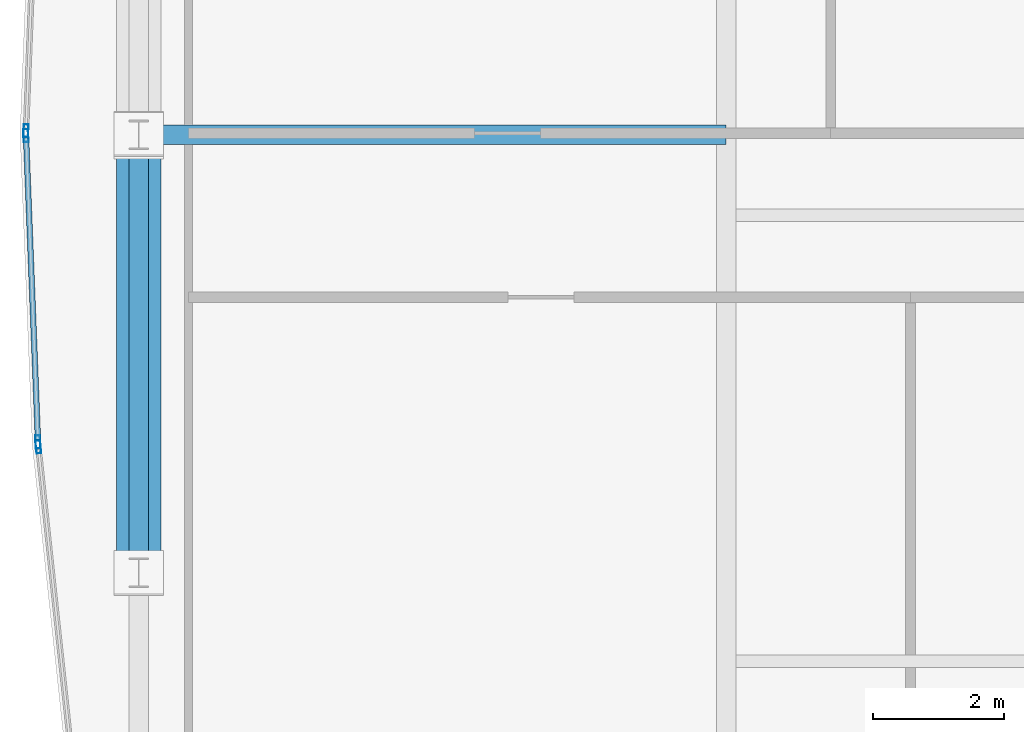
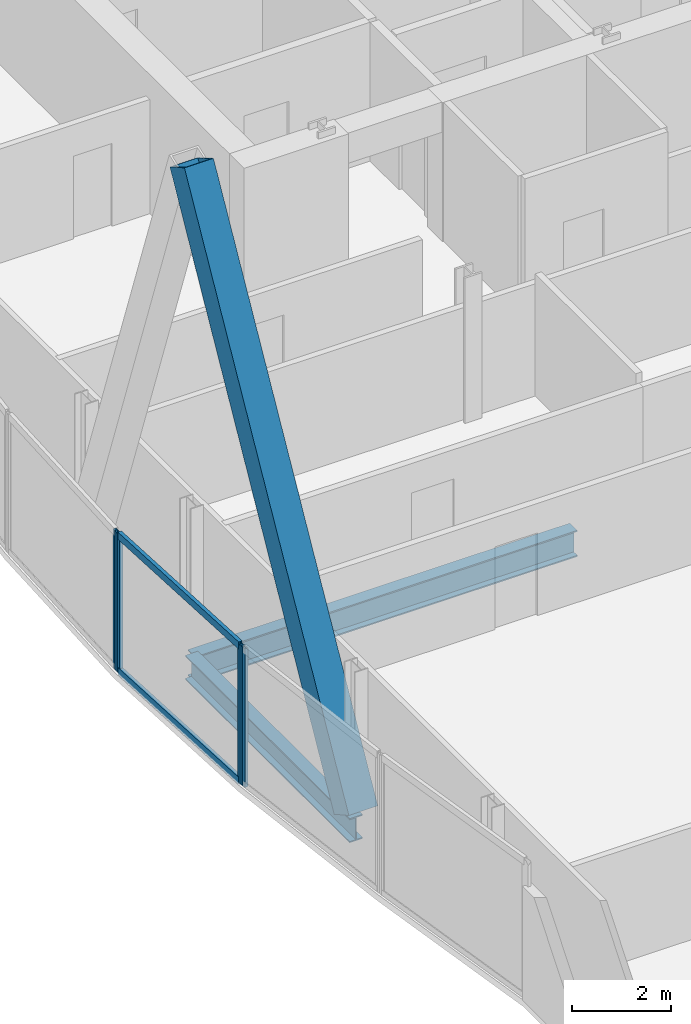
# One storey, part 10 of 31: 7 members, 2 beams, 3 elements without a shape of their own.
"""IFC4 building model written with IfcOpenShell, lengths in metres."""

import ifcopenshell
import ifcopenshell.guid

model = None  # the IFC model being written
_history = None  # IfcOwnerHistory: only IFC2X3 demands one
_inside = {}  # id of a spatial element -> (the spatial element, [elements in it])
_under = {}  # id of a project, library or spatial element -> (it, [spatial elements below it])
_declared = {}  # id of a project -> (the project, [libraries it declares])
_typed = {}  # id of a type object -> (the type object, [elements of that type])
_made_of = {}  # id of a material, layer set ... -> (it, [elements and type objects made of it])


def new_model(schema):
    """Start an empty IFC model of exactly this schema.

    Asked for "IFC4X3", IfcOpenShell would pick the latest addendum, in which some entities
    have other attributes; the version numbers below select the first issue.
    IFC2X3 requires an IfcOwnerHistory on every rooted entity: one is made here for all.
    """
    global model, _history
    if schema == "IFC4X3":
        model = ifcopenshell.file(schema_version=(4, 3, 0, 0))
    else:
        model = ifcopenshell.file(schema=schema)
    _inside.clear()
    _under.clear()
    _declared.clear()
    _typed.clear()
    _made_of.clear()
    _history = None
    if model.schema == "IFC2X3":
        org = make("IfcOrganization", Name="unknown")
        user = make(
            "IfcPersonAndOrganization",
            ThePerson=make("IfcPerson", FamilyName="unknown"),
            TheOrganization=org,
        )
        app = make(
            "IfcApplication",
            ApplicationDeveloper=org,
            Version="unknown",
            ApplicationFullName="unknown",
            ApplicationIdentifier="unknown",
        )
        _history = make(
            "IfcOwnerHistory",
            OwningUser=user,
            OwningApplication=app,
            ChangeAction="ADDED",
            CreationDate=0,
        )
    return model


def make(cls, **values):
    """One entity of the class cls with the attributes given. An attribute that is None is left unset."""
    return model.create_entity(
        cls, **{name: value for name, value in values.items() if value is not None}
    )


def rooted(cls, **values):
    """An entity with a GlobalId (a new one), such as an element, a storey or a relation."""
    return make(cls, GlobalId=ifcopenshell.guid.new(), OwnerHistory=_history, **values)


def si_unit(unit_type, name, prefix=None):
    """IfcSIUnit, for example si_unit("LENGTHUNIT", "METRE", prefix="MILLI")."""
    return make("IfcSIUnit", UnitType=unit_type, Prefix=prefix, Name=name)


def assignment(units):
    """IfcUnitAssignment: the units of a project."""
    return None if units is None else make("IfcUnitAssignment", Units=units)


def point(xyz):
    """IfcCartesianPoint."""
    return None if xyz is None else make("IfcCartesianPoint", Coordinates=xyz)


def direction(xyz):
    """IfcDirection."""
    return None if xyz is None else make("IfcDirection", DirectionRatios=xyz)


def frame(location, z_axis=None, x_axis=None):
    """IfcAxis2Placement3D, a coordinate frame: its origin and axes. An axis left out is left unset."""
    return make(
        "IfcAxis2Placement3D",
        Location=point(location),
        Axis=direction(z_axis),
        RefDirection=direction(x_axis),
    )


def frame_2d(location, x_axis=None):
    """IfcAxis2Placement2D, a coordinate frame in the plane: its origin and x axis."""
    return make(
        "IfcAxis2Placement2D", Location=point(location), RefDirection=direction(x_axis)
    )


def origin():
    """The frame at (0, 0, 0) with its axes left unset."""
    return frame((0.0, 0.0, 0.0))


def origin_2d():
    """The frame at (0, 0) in the plane with its x axis left unset."""
    return frame_2d((0.0, 0.0))


def place(relative_to, where):
    """IfcLocalPlacement: puts the frame where relative to a parent placement (None: the world)."""
    return make(
        "IfcLocalPlacement", PlacementRelTo=relative_to, RelativePlacement=where
    )


def context(
    kind, dimensions, precision=None, world=None, true_north=None, identifier=None
):
    """IfcGeometricRepresentationContext, for example the 3D "Model" context."""
    return make(
        "IfcGeometricRepresentationContext",
        ContextIdentifier=identifier,
        ContextType=kind,
        CoordinateSpaceDimension=dimensions,
        Precision=precision,
        WorldCoordinateSystem=world,
        TrueNorth=true_north,
    )


def subcontext(parent, identifier, kind, view, scale=None):
    """IfcGeometricRepresentationSubContext, for example "Body" below "Model"."""
    return make(
        "IfcGeometricRepresentationSubContext",
        ContextIdentifier=identifier,
        ContextType=kind,
        ParentContext=parent,
        TargetScale=scale,
        TargetView=view,
    )


def project(units=None, contexts=None):
    """IfcProject with its units and contexts."""
    return rooted(
        "IfcProject",
        Name="project",
        RepresentationContexts=contexts,
        UnitsInContext=assignment(units),
    )


def spatial(cls, under=None, at=None, **own):
    """A site, building, storey or space (cls), placed at a placement, below another one or the project."""
    s = rooted(cls, ObjectPlacement=at, **own)
    if under is not None:
        _under.setdefault(under.id(), (under, []))[1].append(s)
    return s


def profile(cls, at=None, kind="AREA", **sizes):
    """A parametric profile (cls). Its sizes go by their IFC names, for example OverallWidth=200.0."""
    return make(cls, ProfileType=kind, Position=at, **sizes)


def hollow_rectangle(**sizes):
    """IfcRectangleHollowProfileDef."""
    return profile("IfcRectangleHollowProfileDef", **sizes)


def i_section(**sizes):
    """IfcIShapeProfileDef."""
    return profile("IfcIShapeProfileDef", **sizes)


def extrude(swept, where, along, depth):
    """IfcExtrudedAreaSolid: the profile swept, set in the frame where, extruded along a direction by depth."""
    return make(
        "IfcExtrudedAreaSolid",
        SweptArea=swept,
        Position=where,
        ExtrudedDirection=direction(along),
        Depth=depth,
    )


def shape(context_of_items, identifier, shape_type, items):
    """IfcShapeRepresentation: the items that make up one representation, for example the "Body"."""
    return make(
        "IfcShapeRepresentation",
        ContextOfItems=context_of_items,
        RepresentationIdentifier=identifier,
        RepresentationType=shape_type,
        Items=items,
    )


def material(Name=None, Category=None):
    """IfcMaterial."""
    return make("IfcMaterial", Name=Name, Category=Category)


def material_profile(
    of_material, cross_section, Name=None, Category=None, Priority=None
):
    """IfcMaterialProfile: a cross section and its material."""
    return make(
        "IfcMaterialProfile",
        Name=Name,
        Material=of_material,
        Profile=cross_section,
        Priority=Priority,
        Category=Category,
    )


def profile_set(profiles, Name=None, composite=None):
    """IfcMaterialProfileSet."""
    return make(
        "IfcMaterialProfileSet",
        Name=Name,
        MaterialProfiles=profiles,
        CompositeProfile=composite,
    )


def made_of(thing, what):
    """Note that an element or type object is made of a material, layer set ...; save() writes the relation."""
    if what is not None:
        _made_of.setdefault(what.id(), (what, []))[1].append(thing)
    return thing


def type_object(cls, material=None, **own):
    """A type object (cls), such as IfcWallType, which elements share."""
    return made_of(rooted(cls, **own), material)


def element(
    cls,
    number,
    at=None,
    inside=None,
    cuts=None,
    type_object=None,
    material=None,
    context=None,
    identifier="Body",
    shape_type=None,
    held_by="IfcProductDefinitionShape",
    body=None,
    shapes=None,
    **own,
):
    """One element of the class cls, such as IfcWall. Its Tag is "e" and its number.

    at: its placement. inside: the storey or other place that contains it. cuts: it is an
    opening in that element (IfcRelVoidsElement). A single representation is given by context,
    identifier, shape_type and body (its items); several are given by shapes. held_by: the class
    of the entity that holds the representations. save() writes the other relations.
    """
    e = rooted(cls, Tag="e%d" % number, ObjectPlacement=at, **own)
    if body is not None:
        shapes = [shape(context, identifier, shape_type, body)]
    if shapes is not None:
        e.Representation = make(held_by, Representations=shapes)
    if inside is not None:
        _inside.setdefault(inside.id(), (inside, []))[1].append(e)
    if cuts is not None:
        rooted(
            "IfcRelVoidsElement", RelatingBuildingElement=cuts, RelatedOpeningElement=e
        )
    if type_object is not None:
        _typed.setdefault(type_object.id(), (type_object, []))[1].append(e)
    return made_of(e, material)


def aggregate(whole, parts):
    """IfcRelAggregates: a whole, such as a stair, and the parts it consists of."""
    return rooted("IfcRelAggregates", RelatingObject=whole, RelatedObjects=parts)


def save(model, path):
    """Write the relations noted so far, then the file.

    IfcRelAggregates (storeys below a building ...), IfcRelContainedInSpatialStructure (elements
    in a storey), IfcRelDefinesByType, IfcRelAssociatesMaterial and IfcRelDeclares: one each for
    every whole, place, type object, material and project.
    """
    for whole, parts in _under.values():
        aggregate(whole, parts)
    for where, things in _inside.values():
        rooted(
            "IfcRelContainedInSpatialStructure",
            RelatedElements=things,
            RelatingStructure=where,
        )
    for kind, things in _typed.values():
        rooted("IfcRelDefinesByType", RelatedObjects=things, RelatingType=kind)
    for what, things in _made_of.values():
        rooted("IfcRelAssociatesMaterial", RelatedObjects=things, RelatingMaterial=what)
    for by, libraries in _declared.values():
        rooted("IfcRelDeclares", RelatingContext=by, RelatedDefinitions=libraries)
    model.write(path)


model = new_model("IFC4")

# Units and contexts
model_context = context("Model", 3, precision=1e-05, world=origin(), true_north=direction((0.0, 1.0)))
body_context = subcontext(model_context, "Body", "Model", "MODEL_VIEW")
ifc_project = project(units=[si_unit("LENGTHUNIT", "METRE"), si_unit("AREAUNIT", "SQUARE_METRE"), si_unit("VOLUMEUNIT", "CUBIC_METRE"), si_unit("PLANEANGLEUNIT", "RADIAN"), si_unit("MASSUNIT", "GRAM", prefix="KILO")], contexts=[model_context])

# Site, building, storey
site_placement = place(None, origin())
site = spatial("IfcSite", under=ifc_project, at=site_placement, CompositionType="ELEMENT")
building_placement = place(site_placement, origin())
building = spatial("IfcBuilding", under=site, at=building_placement, Name="Khoronbel Lancet Exchange", CompositionType="ELEMENT")
storey_placement = place(building_placement, frame((0.0, 0.0, 249.800048828125)))
storey = spatial("IfcBuildingStorey", under=building, at=storey_placement, Name="L64", CompositionType="ELEMENT", Elevation=249.800048828125)

# Beams
ifc_material_1 = material(Name="Steel S355", Category="steel")
ifc_material_profile_1 = material_profile(ifc_material_1, i_section(OverallWidth=0.300048828125, OverallDepth=0.64990234375, WebThickness=0.01611328125, FlangeThickness=0.031005859375, at=origin_2d()), Name="HEB 650")
ifc_profile_set_1 = profile_set([ifc_material_profile_1], Name="Steel S355")
beam_type_1 = type_object("IfcBeamType", Name="BM-BG4", PredefinedType="BEAM", material=ifc_profile_set_1)
beam_1_placement = place(storey_placement, frame((9.27001953125, 31.425048828125, -0.485107421875), z_axis=(1.0, 0.0, 0.0), x_axis=(0.0, 1.0, 0.0)))
element("IfcBeam", 1, at=beam_1_placement, inside=storey, type_object=beam_type_1, Name="Level L64 west lens tie girder LG2W", PredefinedType="BEAM", context=body_context, shape_type="SweptSolid", body=[
    extrude(i_section(OverallWidth=0.300048828125, OverallDepth=0.64990234375, WebThickness=0.01611328125, FlangeThickness=0.031005859375, at=origin_2d()), origin(), (0.0, 0.0, 1.0), 8.955078125),
])
ifc_material_profile_2 = material_profile(ifc_material_1, i_section(OverallWidth=0.300048828125, OverallDepth=0.60009765625, WebThickness=0.015380859375, FlangeThickness=0.030029296875, at=origin_2d()), Name="HEB 600")
ifc_profile_set_2 = profile_set([ifc_material_profile_2], Name="Steel S355")
beam_type_2 = type_object("IfcBeamType", Name="BM-BSP2", PredefinedType="SPANDREL", material=ifc_profile_set_2)
beam_2_placement = place(storey_placement, frame((9.27001953125, 31.425048828125, -0.4599609375), z_axis=(0.0, -1.0, 0.0), x_axis=(1.0, 0.0, 0.0)))
element("IfcBeam", 2, at=beam_2_placement, inside=storey, type_object=beam_type_2, Name="Level L64 perimeter spandrel beam SP19", PredefinedType="SPANDREL", context=body_context, shape_type="SweptSolid", body=[
    extrude(i_section(OverallWidth=0.300048828125, OverallDepth=0.60009765625, WebThickness=0.015380859375, FlangeThickness=0.030029296875, at=origin_2d()), origin(), (0.0, 0.0, 1.0), 6.675048828125),
])

# Curtain wall, member
ifc_material_2 = material(Name="Low-E Solar Control Insulating Glass", Category="glass")
curtain_wall_type = type_object("IfcCurtainWallType", Name="CW-4", PredefinedType="NOTDEFINED", material=ifc_material_2)
curtain_wall_1_placement = place(storey_placement, origin())
curtain_wall_1 = element("IfcCurtainWall", 3, at=curtain_wall_1_placement, inside=storey, type_object=curtain_wall_type, Name="Unitised curtain wall CW-L64-E05", PredefinedType="NOTDEFINED")
ifc_material_3 = material(Name="Bronze-Anodised Aluminium 6063-T6", Category="aluminium")
ifc_material_profile_3 = material_profile(ifc_material_3, hollow_rectangle(XDim=0.074951171875, YDim=0.199951171875, WallThickness=0.0048828125, at=origin_2d()), Name="ALU MULLION 75x200")
ifc_profile_set_3 = profile_set([ifc_material_profile_3], Name="Bronze-Anodised Aluminium 6063-T6")
member_type_1 = type_object("IfcMemberType", Name="MEM-CWM2", PredefinedType="MULLION", material=ifc_profile_set_3)
member_1_placement = place(storey_placement, frame((7.739990234375, 26.66943359375, 0.0), z_axis=(0.0, 0.0, 1.0), x_axis=(-0.994311928022, -0.106507228834, 0.0)))
member_1 = element("IfcMember", 4, at=member_1_placement, type_object=member_type_1, Name="CW4 mullion 2", PredefinedType="MULLION", context=body_context, shape_type="SweptSolid", body=[
    extrude(hollow_rectangle(XDim=0.074951171875, YDim=0.199951171875, WallThickness=0.0048828125, at=origin_2d()), origin(), (0.0, 0.0, 1.0), 3.43994140625),
])
aggregate(curtain_wall_1, [member_1])

# Curtain wall, members
curtain_wall_2_placement = place(storey_placement, origin())
curtain_wall_2 = element("IfcCurtainWall", 5, at=curtain_wall_2_placement, inside=storey, type_object=curtain_wall_type, Name="Unitised curtain wall CW-L64-E06", PredefinedType="NOTDEFINED")
member_2_placement = place(storey_placement, frame((7.734619140625, 26.744140625, 0.0), z_axis=(0.0, 0.0, 1.0), x_axis=(-0.999232904661, -0.039161233927, 0.0)))
member_2 = element("IfcMember", 6, at=member_2_placement, type_object=member_type_1, Name="CW4 mullion 1", PredefinedType="MULLION", context=body_context, shape_type="SweptSolid", body=[
    extrude(hollow_rectangle(XDim=0.074951171875, YDim=0.199951171875, WallThickness=0.0048828125, at=origin_2d()), origin(), (0.0, 0.0, 1.0), 3.43994140625),
])
member_3_placement = place(storey_placement, frame((7.5517578125, 31.41259765625, 0.0), z_axis=(0.0, 0.0, 1.0), x_axis=(-0.999232904661, -0.039161233927, 0.0)))
member_3 = element("IfcMember", 7, at=member_3_placement, type_object=member_type_1, Name="CW4 mullion 2", PredefinedType="MULLION", context=body_context, shape_type="SweptSolid", body=[
    extrude(hollow_rectangle(XDim=0.074951171875, YDim=0.199951171875, WallThickness=0.0048828125, at=origin_2d()), origin(), (0.0, 0.0, 1.0), 3.43994140625),
])

# Curtain wall, member
curtain_wall_3_placement = place(storey_placement, origin())
curtain_wall_3 = element("IfcCurtainWall", 8, at=curtain_wall_3_placement, inside=storey, type_object=curtain_wall_type, Name="Unitised curtain wall CW-L64-E07", PredefinedType="NOTDEFINED")
member_4_placement = place(storey_placement, frame((7.5517578125, 31.487548828125, 0.0), z_axis=(0.0, 0.0, 1.0), x_axis=(-0.999232904661, 0.039161233927, 0.0)))
member_4 = element("IfcMember", 9, at=member_4_placement, type_object=member_type_1, Name="CW4 mullion 1", PredefinedType="MULLION", context=body_context, shape_type="SweptSolid", body=[
    extrude(hollow_rectangle(XDim=0.074951171875, YDim=0.199951171875, WallThickness=0.0048828125, at=origin_2d()), origin(), (0.0, 0.0, 1.0), 3.43994140625),
])
aggregate(curtain_wall_3, [member_4])

# Member
ifc_material_profile_4 = material_profile(ifc_material_3, hollow_rectangle(XDim=0.0849609375, YDim=0.179931640625, WallThickness=0.0048828125, at=origin_2d()), Name="ALU TRANSOM 85x180")
ifc_profile_set_4 = profile_set([ifc_material_profile_4], Name="Bronze-Anodised Aluminium 6063-T6")
member_type_2 = type_object("IfcMemberType", Name="MEM-CWT1", PredefinedType="USERDEFINED", material=ifc_profile_set_4)
member_5_placement = place(storey_placement, frame((7.733154296875, 26.781494140625, 0.04248046875), z_axis=(-0.03914085778, 0.999233703021, 0.0), x_axis=(-0.999233703021, -0.03914085778, 0.0)))
member_5 = element("IfcMember", 10, at=member_5_placement, type_object=member_type_2, Name="CW4 transom 1.1", ObjectType="TRANSOM", PredefinedType="USERDEFINED", context=body_context, shape_type="SweptSolid", body=[
    extrude(hollow_rectangle(XDim=0.0849609375, YDim=0.179931640625, WallThickness=0.0048828125, at=origin_2d()), origin(), (0.0, 0.0, 1.0), 4.596923828125),
])

member_6_placement = place(storey_placement, frame((7.733154296875, 26.781494140625, 3.3974609375), z_axis=(-0.03914085778, 0.999233703021, 0.0), x_axis=(-0.999233703021, -0.03914085778, 0.0)))
member_6 = element("IfcMember", 11, at=member_6_placement, type_object=member_type_2, Name="CW4 transom 1.2", ObjectType="TRANSOM", PredefinedType="USERDEFINED", context=body_context, shape_type="SweptSolid", body=[
    extrude(hollow_rectangle(XDim=0.0849609375, YDim=0.179931640625, WallThickness=0.0048828125, at=origin_2d()), origin(), (0.0, 0.0, 1.0), 4.596923828125),
])

aggregate(curtain_wall_2, [member_2, member_3, member_5, member_6])

ifc_material_4 = material(Name="Steel S460", Category="steel")
ifc_material_profile_5 = material_profile(ifc_material_4, hollow_rectangle(XDim=0.679931640625, YDim=0.679931640625, WallThickness=0.044921875, at=origin_2d()), Name="BOX 680x680x45")
ifc_profile_set_5 = profile_set([ifc_material_profile_5], Name="Steel S460")
member_type_3 = type_object("IfcMemberType", Name="MEM-MB3", PredefinedType="BRACE", material=ifc_profile_set_5)
member_7_placement = place(storey_placement, frame((9.27001953125, 24.75, 0.0), z_axis=(0.0, 0.486109322328, 0.873898007061), x_axis=(-1.0, 0.0, 0.0)))
element("IfcMember", 12, at=member_7_placement, inside=storey, type_object=member_type_3, Name="Perimeter lancet brace tier 22 W-P-L", PredefinedType="BRACE", context=body_context, shape_type="SweptSolid", body=[
    extrude(hollow_rectangle(XDim=0.679931640625, YDim=0.679931640625, WallThickness=0.044921875, at=origin_2d()), origin(), (0.0, 0.0, 1.0), 13.731689453125),
])

save(model, "model.ifc")
